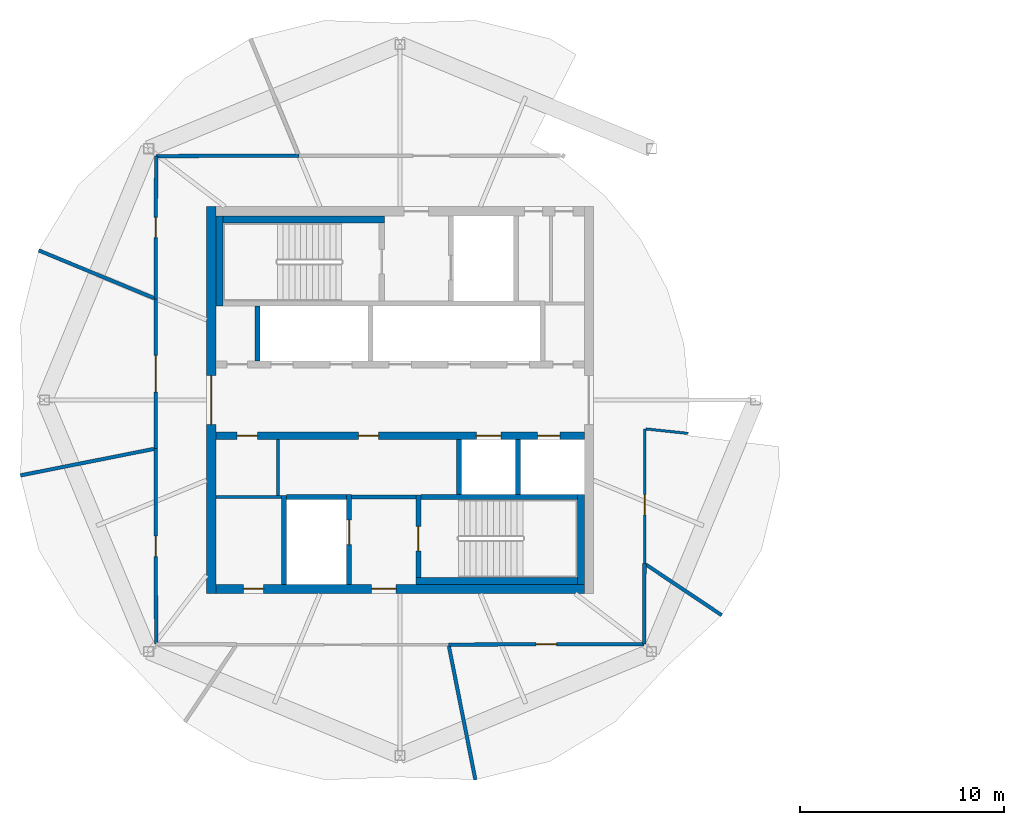
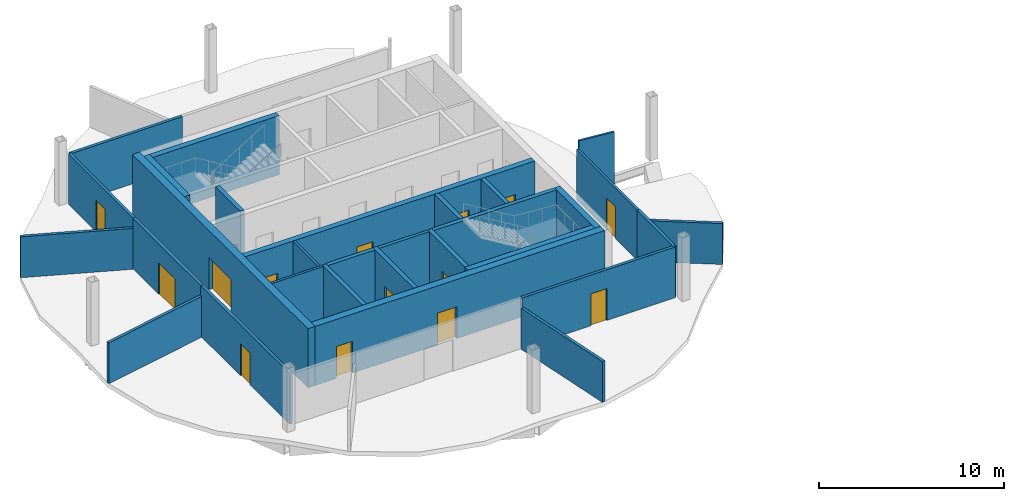
# One storey, part 5 of 11: 30 walls, 14 doors, 14 openings.
"""IFC4 building model written with IfcOpenShell, lengths in metres."""

from ifc_helpers import new_model, si_unit, direction, frame, frame_2d, origin, place, context, subcontext, project, spatial, rectangle, extrude, material, layer, layer_set, type_object, element, fill, save


model = new_model("IFC4")

# Units and contexts
model_context = context("Model", 3, precision=1e-05, world=origin(), true_north=direction((0.0, 1.0)))
body_context = subcontext(model_context, "Body", "Model", "MODEL_VIEW")
ifc_project = project(units=[si_unit("LENGTHUNIT", "METRE"), si_unit("AREAUNIT", "SQUARE_METRE"), si_unit("VOLUMEUNIT", "CUBIC_METRE"), si_unit("PLANEANGLEUNIT", "RADIAN"), si_unit("MASSUNIT", "GRAM", prefix="KILO")], contexts=[model_context])

# Site, building, storey
site_placement = place(None, origin())
site = spatial("IfcSite", under=ifc_project, at=site_placement, CompositionType="ELEMENT")
building_placement = place(site_placement, origin())
building = spatial("IfcBuilding", under=site, at=building_placement, Name="Ogive Gate Towers", CompositionType="ELEMENT")
storey_placement = place(building_placement, frame((0.0, 0.0, 281.39990234375)))
storey = spatial("IfcBuildingStorey", under=building, at=storey_placement, Name="L66", CompositionType="ELEMENT", Elevation=281.39990234375)

# Walls
ifc_material_1 = material(Name="Gypsum board acoustic partition")
ifc_layer_1 = layer(ifc_material_1, 0.175048828125)
ifc_layer_set_1 = layer_set([ifc_layer_1], Name="Acoustic partition 175")
wall_type_1 = type_object("IfcWallType", Name="Acoustic partition 175", PredefinedType="PARTITIONING", material=ifc_layer_set_1)
wall_1_placement = place(storey_placement, frame((-53.747802734375, 7.351318359375, 0.0), z_axis=(0.0, 0.0, 1.0), x_axis=(0.923879494329, -0.382683524544, 0.0)))
element("IfcWall", 1, at=wall_1_placement, inside=storey, type_object=wall_type_1, Name="Partition T1-L66-003", PredefinedType="PARTITIONING", context=body_context, shape_type="SweptSolid", body=[
    extrude(rectangle(XDim=6.131591796875, YDim=0.175048828125, at=frame_2d((3.06591796875, 0.0))), origin(), (0.0, 0.0, 1.0), 2.7001953125),
])
for number, where, z_axis, x_axis, name in (
    (2, (-54.64599609375, -3.69921875, 0.0), (0.0, 0.0, 1.0), (0.980887249702, 0.19457698572, 0.0), "Partition T1-L66-004"),
    (3, (-32.30078125, -18.64599609375, 0.0), (0.0, 0.0, 1.0), (-0.19457698572, 0.980887249702, 0.0), "Partition T1-L66-006"),
):
    element("IfcWall", number, at=place(storey_placement, frame(where, z_axis=z_axis, x_axis=x_axis)), inside=storey, type_object=wall_type_1, Name=name, PredefinedType="PARTITIONING", context=body_context, shape_type="SweptSolid", body=[
        extrude(rectangle(XDim=6.681396484375, YDim=0.175048828125, at=frame_2d((3.3408203125, 0.0))), origin(), (0.0, 0.0, 1.0), 2.7001953125),
    ])
wall_2_placement = place(storey_placement, frame((-20.199462890625, -10.56884765625, 0.0), z_axis=(0.0, 0.0, 1.0), x_axis=(-0.831202788563, 0.555969355527, 0.0)))
element("IfcWall", 4, at=wall_2_placement, inside=storey, type_object=wall_type_1, Name="Partition T1-L66-007", PredefinedType="PARTITIONING", context=body_context, shape_type="SweptSolid", body=[
    extrude(rectangle(XDim=4.481201171875, YDim=0.175048828125, at=frame_2d((2.24072265625, 0.0))), origin(), (0.0, 0.0, 1.0), 2.7001953125),
])

# Wall, opening, door
wall_3_placement = place(storey_placement, frame((-24.02001953125, -11.97998046875, 0.0), z_axis=(0.0, 0.0, 1.0), x_axis=(-0.999996156312, -0.002772609087, 0.0)))
wall_3 = element("IfcWall", 5, at=wall_3_placement, inside=storey, type_object=wall_type_1, Name="Partition T1-L66-010", PredefinedType="PARTITIONING", context=body_context, shape_type="SweptSolid", body=[
    extrude(rectangle(XDim=9.597900390625, YDim=0.175048828125, at=frame_2d((4.798828125, 0.0))), origin(), (0.0, 0.0, 1.0), 3.35009765625),
])
opening_1_placement = place(wall_3_placement, frame((4.299072265625, 0.0, 0.0)))
opening_1 = element("IfcOpeningElement", 6, at=opening_1_placement, cuts=wall_3, Name="Opening T1-L66-D02", PredefinedType="OPENING", context=body_context, shape_type="SweptSolid", body=[
    extrude(rectangle(XDim=1.0, YDim=2.10009765625, at=frame_2d((0.5, 1.050048828125))), frame((0.0, 0.09765625, 0.0), z_axis=(0.0, -1.0, 0.0), x_axis=(1.0, 0.0, 0.0)), (0.0, 0.0, 1.0), 0.195068359375),
])
ifc_material_2 = material(Name="Timber door", Category="wood")
door_type_1 = type_object("IfcDoorType", Name="Door 1000", OperationType="NOTDEFINED", PredefinedType="DOOR", material=ifc_material_2)
door_1_placement = place(opening_1_placement, origin())
door_1 = element("IfcDoor", 7, at=door_1_placement, inside=storey, type_object=door_type_1, Name="Door T1-L66-D02", OperationType="SINGLE_SWING_RIGHT", OverallHeight=2.10009765625, OverallWidth=1.0, PredefinedType="DOOR", context=body_context, shape_type="SweptSolid", body=[
    extrude(rectangle(XDim=1.0, YDim=2.10009765625, at=frame_2d((0.5, 1.050048828125))), frame((0.0, 0.02490234375, 0.0), z_axis=(0.0, -1.0, 0.0), x_axis=(1.0, 0.0, 0.0)), (0.0, 0.0, 1.0), 0.050048828125),
])
fill(opening_1, door_1)

# Wall
wall_4_placement = place(storey_placement, frame((-23.9970703125, -8.02880859375, 0.0), z_axis=(0.0, 0.0, 1.0), x_axis=(-0.005808107667, -0.9999831328, 0.0)))
element("IfcWall", 8, at=wall_4_placement, inside=storey, type_object=wall_type_1, Name="Partition T1-L66-011", PredefinedType="PARTITIONING", context=body_context, shape_type="SweptSolid", body=[
    extrude(rectangle(XDim=3.951171875, YDim=0.175048828125, at=frame_2d((1.9755859375, 0.0))), origin(), (0.0, 0.0, 1.0), 3.35009765625),
])

# Wall, opening, door
wall_5_placement = place(storey_placement, frame((-47.97998046875, -11.97998046875, 0.0), z_axis=(0.0, 0.0, 1.0), x_axis=(-0.002772609087, 0.999996156312, 0.0)))
wall_5 = element("IfcWall", 9, at=wall_5_placement, inside=storey, type_object=wall_type_1, Name="Partition T1-L66-013", PredefinedType="PARTITIONING", context=body_context, shape_type="SweptSolid", body=[
    extrude(rectangle(XDim=9.597900390625, YDim=0.175048828125, at=frame_2d((4.798828125, 0.0))), origin(), (0.0, 0.0, 1.0), 3.35009765625),
])
opening_2_placement = place(wall_5_placement, frame((4.299072265625, 0.0, 0.0)))
opening_2 = element("IfcOpeningElement", 10, at=opening_2_placement, cuts=wall_5, Name="Opening T1-L66-D04", PredefinedType="OPENING", context=body_context, shape_type="SweptSolid", body=[
    extrude(rectangle(XDim=1.0, YDim=2.10009765625, at=frame_2d((0.5, 1.050048828125))), frame((0.0, 0.09765625, 0.0), z_axis=(0.0, -1.0, 0.0), x_axis=(1.0, 0.0, 0.0)), (0.0, 0.0, 1.0), 0.195068359375),
])
door_2_placement = place(opening_2_placement, origin())
door_2 = element("IfcDoor", 11, at=door_2_placement, inside=storey, type_object=door_type_1, Name="Door T1-L66-D04", OperationType="SINGLE_SWING_LEFT", OverallHeight=2.10009765625, OverallWidth=1.0, PredefinedType="DOOR", context=body_context, shape_type="SweptSolid", body=[
    extrude(rectangle(XDim=1.0, YDim=2.10009765625, at=frame_2d((0.5, 1.050048828125))), frame((0.0, 0.02490234375, 0.0), z_axis=(0.0, -1.0, 0.0), x_axis=(1.0, 0.0, 0.0)), (0.0, 0.0, 1.0), 0.050048828125),
])
fill(opening_2, door_2)

wall_6_placement = place(storey_placement, frame((-48.006591796875, -2.382080078125, 0.0), z_axis=(0.0, 0.0, 1.0), x_axis=(0.000597609455, 0.999999821431, 0.0)))
wall_6 = element("IfcWall", 12, at=wall_6_placement, inside=storey, type_object=wall_type_1, Name="Partition T1-L66-015", PredefinedType="PARTITIONING", context=body_context, shape_type="SweptSolid", body=[
    extrude(rectangle(XDim=7.353515625, YDim=0.175048828125, at=frame_2d((3.6767578125, 0.0))), origin(), (0.0, 0.0, 1.0), 3.35009765625),
])
opening_3_placement = place(wall_6_placement, frame((2.777099609375, 0.0, 0.0)))
opening_3 = element("IfcOpeningElement", 13, at=opening_3_placement, cuts=wall_6, Name="Opening T1-L66-D05", PredefinedType="OPENING", context=body_context, shape_type="SweptSolid", body=[
    extrude(rectangle(XDim=1.800048828125, YDim=2.10009765625, at=frame_2d((0.89990234375, 1.050048828125))), frame((0.0, 0.09765625, 0.0), z_axis=(0.0, -1.0, 0.0), x_axis=(1.0, 0.0, 0.0)), (0.0, 0.0, 1.0), 0.195068359375),
])
door_type_2 = type_object("IfcDoorType", Name="Door pair 1800", OperationType="NOTDEFINED", PredefinedType="DOOR", material=ifc_material_2)
door_3_placement = place(opening_3_placement, origin())
door_3 = element("IfcDoor", 14, at=door_3_placement, inside=storey, type_object=door_type_2, Name="Door T1-L66-D05", OperationType="DOUBLE_DOOR_DOUBLE_SWING", OverallHeight=2.10009765625, OverallWidth=1.800048828125, PredefinedType="DOOR", context=body_context, shape_type="SweptSolid", body=[
    extrude(rectangle(XDim=1.800048828125, YDim=2.10009765625, at=frame_2d((0.89990234375, 1.050048828125))), frame((0.0, 0.02490234375, 0.0), z_axis=(0.0, -1.0, 0.0), x_axis=(1.0, 0.0, 0.0)), (0.0, 0.0, 1.0), 0.050048828125),
])
fill(opening_3, door_3)

wall_7_placement = place(storey_placement, frame((-48.002197265625, 4.971435546875, 0.0), z_axis=(0.0, 0.0, 1.0), x_axis=(0.00316994262, 0.999994975719, 0.0)))
wall_7 = element("IfcWall", 15, at=wall_7_placement, inside=storey, type_object=wall_type_1, Name="Partition T1-L66-016", PredefinedType="PARTITIONING", context=body_context, shape_type="SweptSolid", body=[
    extrude(rectangle(XDim=7.008544921875, YDim=0.175048828125, at=frame_2d((3.50439453125, 0.0))), origin(), (0.0, 0.0, 1.0), 3.35009765625),
])
opening_4_placement = place(wall_7_placement, frame((3.00390625, 0.0, 0.0)))
opening_4 = element("IfcOpeningElement", 16, at=opening_4_placement, cuts=wall_7, Name="Opening T1-L66-D06", PredefinedType="OPENING", context=body_context, shape_type="SweptSolid", body=[
    extrude(rectangle(XDim=1.0, YDim=2.10009765625, at=frame_2d((0.5, 1.050048828125))), frame((0.0, 0.09765625, 0.0), z_axis=(0.0, -1.0, 0.0), x_axis=(1.0, 0.0, 0.0)), (0.0, 0.0, 1.0), 0.195068359375),
])
door_4_placement = place(opening_4_placement, origin())
door_4 = element("IfcDoor", 17, at=door_4_placement, inside=storey, type_object=door_type_1, Name="Door T1-L66-D06", OperationType="SINGLE_SWING_RIGHT", OverallHeight=2.10009765625, OverallWidth=1.0, PredefinedType="DOOR", context=body_context, shape_type="SweptSolid", body=[
    extrude(rectangle(XDim=1.0, YDim=2.10009765625, at=frame_2d((0.5, 1.050048828125))), frame((0.0, 0.02490234375, 0.0), z_axis=(0.0, -1.0, 0.0), x_axis=(1.0, 0.0, 0.0)), (0.0, 0.0, 1.0), 0.050048828125),
])
fill(opening_4, door_4)

# Walls
wall_8_placement = place(storey_placement, frame((-47.97998046875, 11.97998046875, 0.0), z_axis=(0.0, 0.0, 1.0), x_axis=(0.999994975719, 0.00316994262, 0.0)))
element("IfcWall", 18, at=wall_8_placement, inside=storey, type_object=wall_type_1, Name="Partition T1-L66-017", PredefinedType="PARTITIONING", context=body_context, shape_type="SweptSolid", body=[
    extrude(rectangle(XDim=7.008544921875, YDim=0.175048828125, at=frame_2d((3.50439453125, 0.0))), origin(), (0.0, 0.0, 1.0), 3.35009765625),
])
ifc_material_3 = material(Name="Masonry blockwork", Category="masonry")
ifc_layer_2 = layer(ifc_material_3, 0.199951171875)
ifc_layer_set_2 = layer_set([ifc_layer_2], Name="Blockwork wall 200 mm")
wall_type_2 = type_object("IfcWallType", Name="Blockwork wall 200 mm", PredefinedType="PARTITIONING", material=ifc_layer_set_2)
wall_9_placement = place(storey_placement, frame((-38.375, -4.75, 0.0), z_axis=(0.0, 0.0, 1.0), x_axis=(1.0, 0.0, 0.0)))
element("IfcWall", 19, at=wall_9_placement, inside=storey, type_object=wall_type_2, Name="T1 L66 Blockwork wall 200 mm", PredefinedType="PARTITIONING", context=body_context, shape_type="SweptSolid", body=[
    extrude(rectangle(XDim=3.14990234375, YDim=0.199951171875, at=frame_2d((1.574951171875, 0.0))), origin(), (0.0, 0.0, 1.0), 3.900146484375),
])

# Wall, openings, doors
ifc_material_4 = material(Name="Concrete C60/75", Category="concrete")
ifc_layer_3 = layer(ifc_material_4, 0.449951171875)
ifc_layer_set_3 = layer_set([ifc_layer_3], Name="Core wall 450 mm")
wall_type_3 = type_object("IfcWallType", Name="Core wall 450 mm", PredefinedType="SHEAR", material=ifc_layer_set_3)
wall_10_placement = place(storey_placement, frame((-45.050048828125, -9.27490234375, 0.0), z_axis=(0.0, 0.0, 1.0), x_axis=(1.0, 0.0, 0.0)))
wall_10 = element("IfcWall", 20, at=wall_10_placement, inside=storey, type_object=wall_type_3, Name="T1 L66 Core wall 450 mm", PredefinedType="SHEAR", context=body_context, shape_type="SweptSolid", body=[
    extrude(rectangle(XDim=18.10009765625, YDim=0.449951171875, at=frame_2d((9.050048828125, 0.0))), origin(), (0.0, 0.0, 1.0), 3.900146484375),
])
opening_5_placement = place(wall_10_placement, frame((7.64990234375, 0.0, 0.0)))
opening_5 = element("IfcOpeningElement", 21, at=opening_5_placement, cuts=wall_10, Name="Opening KD-T1-L66-19", PredefinedType="OPENING", context=body_context, shape_type="SweptSolid", body=[
    extrude(rectangle(XDim=1.199951171875, YDim=2.10009765625, at=frame_2d((0.60009765625, 1.050048828125))), frame((0.0, 0.23486328125, 0.0), z_axis=(0.0, -1.0, 0.0), x_axis=(1.0, 0.0, 0.0)), (0.0, 0.0, 1.0), 0.469970703125),
])
opening_6_placement = place(wall_10_placement, frame((1.35009765625, 0.0, 0.0)))
opening_6 = element("IfcOpeningElement", 22, at=opening_6_placement, cuts=wall_10, Name="Opening KD-T1-L66-22", PredefinedType="OPENING", context=body_context, shape_type="SweptSolid", body=[
    extrude(rectangle(XDim=1.0, YDim=2.10009765625, at=frame_2d((0.5, 1.050048828125))), frame((0.0, 0.23486328125, 0.0), z_axis=(0.0, -1.0, 0.0), x_axis=(1.0, 0.0, 0.0)), (0.0, 0.0, 1.0), 0.469970703125),
])
door_type_3 = type_object("IfcDoorType", Name="Accessible WC door 1000 x 2100", OperationType="NOTDEFINED", PredefinedType="DOOR", material=ifc_material_2)
door_5_placement = place(opening_6_placement, origin())
door_5 = element("IfcDoor", 23, at=door_5_placement, inside=storey, type_object=door_type_3, Name="T1 L66 Core door", OperationType="SINGLE_SWING_LEFT", OverallHeight=2.10009765625, OverallWidth=1.0, PredefinedType="DOOR", context=body_context, shape_type="SweptSolid", body=[
    extrude(rectangle(XDim=1.0, YDim=2.10009765625, at=frame_2d((0.5, 1.050048828125))), frame((0.0, 0.02490234375, 0.0), z_axis=(0.0, -1.0, 0.0), x_axis=(1.0, 0.0, 0.0)), (0.0, 0.0, 1.0), 0.050048828125),
])
fill(opening_6, door_5)
ifc_material_5 = material(Name="Steel fire door", Category="steel")
door_type_4 = type_object("IfcDoorType", Name="Core door FD60S 1200 x 2100", OperationType="NOTDEFINED", PredefinedType="DOOR", material=ifc_material_5)
door_6_placement = place(opening_5_placement, origin())
door_6 = element("IfcDoor", 24, at=door_6_placement, inside=storey, type_object=door_type_4, Name="T1 L66 Fire-fighting lobby door", OperationType="SINGLE_SWING_RIGHT", OverallHeight=2.10009765625, OverallWidth=1.199951171875, PredefinedType="DOOR", context=body_context, shape_type="SweptSolid", body=[
    extrude(rectangle(XDim=1.199951171875, YDim=2.10009765625, at=frame_2d((0.60009765625, 1.050048828125))), frame((0.0, 0.02490234375, 0.0), z_axis=(0.0, -1.0, 0.0), x_axis=(1.0, 0.0, 0.0)), (0.0, 0.0, 1.0), 0.050048828125),
])
fill(opening_5, door_6)

# Wall, opening, door
wall_11_placement = place(storey_placement, frame((-45.27490234375, -9.5, 0.0), z_axis=(0.0, 0.0, 1.0), x_axis=(0.0, 1.0, 0.0)))
wall_11 = element("IfcWall", 25, at=wall_11_placement, inside=storey, type_object=wall_type_3, Name="T1 L66 Core wall 450 mm", PredefinedType="SHEAR", context=body_context, shape_type="SweptSolid", body=[
    extrude(rectangle(XDim=19.0, YDim=0.449951171875, at=frame_2d((9.5, 0.0))), origin(), (0.0, 0.0, 1.0), 3.900146484375),
])
opening_7_placement = place(wall_11_placement, frame((8.300048828125, 0.0, 0.0)))
opening_7 = element("IfcOpeningElement", 26, at=opening_7_placement, cuts=wall_11, Name="Opening KD-T1-L66-01", PredefinedType="OPENING", context=body_context, shape_type="SweptSolid", body=[
    extrude(rectangle(XDim=2.39990234375, YDim=2.10009765625, at=frame_2d((1.199951171875, 1.050048828125))), frame((0.0, 0.23486328125, 0.0), z_axis=(0.0, -1.0, 0.0), x_axis=(1.0, 0.0, 0.0)), (0.0, 0.0, 1.0), 0.469970703125),
])
door_type_5 = type_object("IfcDoorType", Name="Core double door FD60S 2400 x 2100", OperationType="DOUBLE_DOOR_SINGLE_SWING", PredefinedType="DOOR", material=ifc_material_5)
door_7_placement = place(opening_7_placement, origin())
door_7 = element("IfcDoor", 27, at=door_7_placement, inside=storey, type_object=door_type_5, Name="T1 L66 Core door double", OperationType="DOUBLE_DOOR_SINGLE_SWING", OverallHeight=2.10009765625, OverallWidth=2.39990234375, PredefinedType="DOOR", context=body_context, shape_type="SweptSolid", body=[
    extrude(rectangle(XDim=2.39990234375, YDim=2.10009765625, at=frame_2d((1.199951171875, 1.050048828125))), frame((0.0, 0.02490234375, 0.0), z_axis=(0.0, -1.0, 0.0), x_axis=(1.0, 0.0, 0.0)), (0.0, 0.0, 1.0), 0.050048828125),
])
fill(opening_7, door_7)

# Wall
ifc_material_6 = material(Name="Gypsum board partition")
ifc_layer_4 = layer(ifc_material_6, 0.125)
ifc_layer_set_4 = layer_set([ifc_layer_4], Name="Partition 125")
wall_type_4 = type_object("IfcWallType", Name="Partition 125", PredefinedType="PARTITIONING", material=ifc_layer_set_4)
wall_12_placement = place(storey_placement, frame((-21.8505859375, -1.63671875, 0.0), z_axis=(0.0, 0.0, 1.0), x_axis=(-0.994472011286, 0.105001994121, 0.0)))
element("IfcWall", 28, at=wall_12_placement, inside=storey, type_object=wall_type_4, Name="Partition T1-L66-008", PredefinedType="PARTITIONING", context=body_context, shape_type="SweptSolid", body=[
    extrude(rectangle(XDim=2.083251953125, YDim=0.125, at=frame_2d((1.04150390625, 0.0))), origin(), (0.0, 0.0, 1.0), 3.900146484375),
])

# Wall, opening, door
wall_13_placement = place(storey_placement, frame((-23.984375, -1.41064453125, 0.0), z_axis=(0.0, 0.0, 1.0), x_axis=(-0.001918249385, -0.999998160158, 0.0)))
wall_13 = element("IfcWall", 29, at=wall_13_placement, inside=storey, type_object=wall_type_4, Name="Partition T1-L66-009", PredefinedType="PARTITIONING", context=body_context, shape_type="SweptSolid", body=[
    extrude(rectangle(XDim=6.6181640625, YDim=0.125, at=frame_2d((3.30908203125, 0.0))), origin(), (0.0, 0.0, 1.0), 3.35009765625),
])
opening_8_placement = place(wall_13_placement, frame((3.22802734375, 0.0, 0.0)))
opening_8 = element("IfcOpeningElement", 30, at=opening_8_placement, cuts=wall_13, Name="Opening T1-L66-D01", PredefinedType="OPENING", context=body_context, shape_type="SweptSolid", body=[
    extrude(rectangle(XDim=1.0, YDim=2.10009765625, at=frame_2d((0.5, 1.050048828125))), frame((0.0, 0.072509765625, 0.0), z_axis=(0.0, -1.0, 0.0), x_axis=(1.0, 0.0, 0.0)), (0.0, 0.0, 1.0), 0.14501953125),
])
door_8_placement = place(opening_8_placement, origin())
door_8 = element("IfcDoor", 31, at=door_8_placement, inside=storey, type_object=door_type_1, Name="Door T1-L66-D01", OperationType="SINGLE_SWING_RIGHT", OverallHeight=2.10009765625, OverallWidth=1.0, PredefinedType="DOOR", context=body_context, shape_type="SweptSolid", body=[
    extrude(rectangle(XDim=1.0, YDim=2.10009765625, at=frame_2d((0.5, 1.050048828125))), frame((0.0, 0.02490234375, 0.0), z_axis=(0.0, -1.0, 0.0), x_axis=(1.0, 0.0, 0.0)), (0.0, 0.0, 1.0), 0.050048828125),
])
fill(opening_8, door_8)

# Walls
ifc_layer_5 = layer(ifc_material_6, 0.14990234375)
ifc_layer_set_5 = layer_set([ifc_layer_5], Name="Room partition 150 mm")
wall_type_5 = type_object("IfcWallType", Name="Room partition 150 mm", PredefinedType="PARTITIONING", material=ifc_layer_set_5)
wall_14_placement = place(storey_placement, frame((-45.050048828125, -4.75, 0.0), z_axis=(0.0, 0.0, 1.0), x_axis=(1.0, 0.0, 0.0)))
element("IfcWall", 32, at=wall_14_placement, inside=storey, type_object=wall_type_5, Name="T1 L66 Room partition 150 mm", PredefinedType="PARTITIONING", context=body_context, shape_type="SweptSolid", body=[
    extrude(rectangle(XDim=3.22509765625, YDim=0.14990234375, at=frame_2d((1.612548828125, 0.0))), origin(), (0.0, 0.0, 1.0), 3.900146484375),
])
wall_15_placement = place(storey_placement, frame((-42.0, -4.675048828125, 0.0), z_axis=(0.0, 0.0, 1.0), x_axis=(0.0, 1.0, 0.0)))
element("IfcWall", 33, at=wall_15_placement, inside=storey, type_object=wall_type_5, Name="T1 L66 Room partition 150 mm", PredefinedType="PARTITIONING", context=body_context, shape_type="SweptSolid", body=[
    extrude(rectangle(XDim=2.75, YDim=0.14990234375, at=frame_2d((1.375, 0.0))), origin(), (0.0, 0.0, 1.0), 3.900146484375),
])
ifc_layer_6 = layer(ifc_material_4, 0.25)
ifc_layer_set_6 = layer_set([ifc_layer_6], Name="Shaft wall 250 mm")
wall_type_6 = type_object("IfcWallType", Name="Shaft wall 250 mm", PredefinedType="SHEAR", material=ifc_layer_set_6)
wall_16_placement = place(storey_placement, frame((-41.574951171875, -4.75, 0.0), z_axis=(0.0, 0.0, 1.0), x_axis=(1.0, 0.0, 0.0)))
element("IfcWall", 34, at=wall_16_placement, inside=storey, type_object=wall_type_6, Name="T1 L66 Shaft wall 250 mm", PredefinedType="SHEAR", context=body_context, shape_type="SweptSolid", body=[
    extrude(rectangle(XDim=2.949951171875, YDim=0.25, at=frame_2d((1.47509765625, 0.0))), origin(), (0.0, 0.0, 1.0), 3.900146484375),
])
wall_17_placement = place(storey_placement, frame((-34.97509765625, -4.75, 0.0), z_axis=(0.0, 0.0, 1.0), x_axis=(1.0, 0.0, 0.0)))
element("IfcWall", 35, at=wall_17_placement, inside=storey, type_object=wall_type_6, Name="T1 L66 Shaft wall 250 mm", PredefinedType="SHEAR", context=body_context, shape_type="SweptSolid", body=[
    extrude(rectangle(XDim=7.675048828125, YDim=0.25, at=frame_2d((3.83740234375, 0.0))), origin(), (0.0, 0.0, 1.0), 3.900146484375),
])
wall_18_placement = place(storey_placement, frame((-43.0, 1.925048828125, 0.0), z_axis=(0.0, 0.0, 1.0), x_axis=(0.0, 1.0, 0.0)))
element("IfcWall", 36, at=wall_18_placement, inside=storey, type_object=wall_type_6, Name="T1 L66 Shaft wall 250 mm", PredefinedType="SHEAR", context=body_context, shape_type="SweptSolid", body=[
    extrude(rectangle(XDim=2.699951171875, YDim=0.25, at=frame_2d((1.35009765625, 0.0))), origin(), (0.0, 0.0, 1.0), 3.900146484375),
])
wall_19_placement = place(storey_placement, frame((-41.699951171875, -9.050048828125, 0.0), z_axis=(0.0, 0.0, 1.0), x_axis=(0.0, 1.0, 0.0)))
element("IfcWall", 37, at=wall_19_placement, inside=storey, type_object=wall_type_6, Name="T1 L66 Shaft wall 250 mm", PredefinedType="SHEAR", context=body_context, shape_type="SweptSolid", body=[
    extrude(rectangle(XDim=4.375, YDim=0.25, at=frame_2d((2.1875, 0.0))), origin(), (0.0, 0.0, 1.0), 3.900146484375),
])

# Wall, opening, door
wall_20_placement = place(storey_placement, frame((-38.5, -9.050048828125, 0.0), z_axis=(0.0, 0.0, 1.0), x_axis=(0.0, 1.0, 0.0)))
wall_20 = element("IfcWall", 38, at=wall_20_placement, inside=storey, type_object=wall_type_6, Name="T1 L66 Shaft wall 250 mm", PredefinedType="SHEAR", context=body_context, shape_type="SweptSolid", body=[
    extrude(rectangle(XDim=4.425048828125, YDim=0.25, at=frame_2d((2.21240234375, 0.0))), origin(), (0.0, 0.0, 1.0), 3.900146484375),
])
opening_9_placement = place(wall_20_placement, frame((1.949951171875, 0.0, 0.0)))
opening_9 = element("IfcOpeningElement", 39, at=opening_9_placement, cuts=wall_20, Name="Opening LD-T1-L66-13", PredefinedType="OPENING", context=body_context, shape_type="SweptSolid", body=[
    extrude(rectangle(XDim=1.199951171875, YDim=2.10009765625, at=frame_2d((0.60009765625, 1.050048828125))), frame((0.0, 0.135009765625, 0.0), z_axis=(0.0, -1.0, 0.0), x_axis=(1.0, 0.0, 0.0)), (0.0, 0.0, 1.0), 0.27001953125),
])
ifc_material_7 = material(Name="Stainless steel landing door", Category="steel")
door_type_6 = type_object("IfcDoorType", Name="Landing door 1200 x 2100", OperationType="SLIDING_TO_LEFT", PredefinedType="DOOR", material=ifc_material_7)
door_9_placement = place(opening_9_placement, origin())
door_9 = element("IfcDoor", 40, at=door_9_placement, inside=storey, type_object=door_type_6, Name="T1 L66 Lift landing door FF2", OperationType="SLIDING_TO_LEFT", OverallHeight=2.10009765625, OverallWidth=1.199951171875, PredefinedType="DOOR", context=body_context, shape_type="SweptSolid", body=[
    extrude(rectangle(XDim=1.199951171875, YDim=2.10009765625, at=frame_2d((0.60009765625, 1.050048828125))), frame((0.0, 0.02490234375, 0.0), z_axis=(0.0, -1.0, 0.0), x_axis=(1.0, 0.0, 0.0)), (0.0, 0.0, 1.0), 0.050048828125),
])
fill(opening_9, door_9)

wall_21_placement = place(storey_placement, frame((-35.10009765625, -8.699951171875, 0.0), z_axis=(0.0, 0.0, 1.0), x_axis=(0.0, 1.0, 0.0)))
wall_21 = element("IfcWall", 41, at=wall_21_placement, inside=storey, type_object=wall_type_6, Name="T1 L66 Shaft wall 250 mm", PredefinedType="SHEAR", context=body_context, shape_type="SweptSolid", body=[
    extrude(rectangle(XDim=4.050048828125, YDim=0.25, at=frame_2d((2.02490234375, 0.0))), origin(), (0.0, 0.0, 1.0), 3.900146484375),
])
opening_10_placement = place(wall_21_placement, frame((1.300048828125, 0.0, 0.0)))
opening_10 = element("IfcOpeningElement", 42, at=opening_10_placement, cuts=wall_21, Name="Opening KD-T1-L66-17", PredefinedType="OPENING", context=body_context, shape_type="SweptSolid", body=[
    extrude(rectangle(XDim=1.199951171875, YDim=2.10009765625, at=frame_2d((0.60009765625, 1.050048828125))), frame((0.0, 0.135009765625, 0.0), z_axis=(0.0, -1.0, 0.0), x_axis=(1.0, 0.0, 0.0)), (0.0, 0.0, 1.0), 0.27001953125),
])
door_10_placement = place(opening_10_placement, origin())
door_10 = element("IfcDoor", 43, at=door_10_placement, inside=storey, type_object=door_type_4, Name="T1 L66 Stair door", OperationType="SINGLE_SWING_RIGHT", OverallHeight=2.10009765625, OverallWidth=1.199951171875, PredefinedType="DOOR", context=body_context, shape_type="SweptSolid", body=[
    extrude(rectangle(XDim=1.199951171875, YDim=2.10009765625, at=frame_2d((0.60009765625, 1.050048828125))), frame((0.0, 0.02490234375, 0.0), z_axis=(0.0, -1.0, 0.0), x_axis=(1.0, 0.0, 0.0)), (0.0, 0.0, 1.0), 0.050048828125),
])
fill(opening_10, door_10)

# Walls
for number, where, z_axis, x_axis, name in (
    (44, (-33.10009765625, -4.625, 0.0), (0.0, 0.0, 1.0), (0.0, 1.0, 0.0), "T1 L66 Shaft wall 250 mm"),
    (45, (-30.199951171875, -4.625, 0.0), (0.0, 0.0, 1.0), (0.0, 1.0, 0.0), "T1 L66 Shaft wall 250 mm"),
):
    element("IfcWall", number, at=place(storey_placement, frame(where, z_axis=z_axis, x_axis=x_axis)), inside=storey, type_object=wall_type_6, Name=name, PredefinedType="SHEAR", context=body_context, shape_type="SweptSolid", body=[
        extrude(rectangle(XDim=2.699951171875, YDim=0.25, at=frame_2d((1.35009765625, 0.0))), origin(), (0.0, 0.0, 1.0), 3.900146484375),
    ])

# Wall, openings, doors
ifc_layer_7 = layer(ifc_material_4, 0.35009765625)
ifc_layer_set_7 = layer_set([ifc_layer_7], Name="Spine wall 350 mm")
wall_type_7 = type_object("IfcWallType", Name="Spine wall 350 mm", PredefinedType="SHEAR", material=ifc_layer_set_7)
wall_22_placement = place(storey_placement, frame((-45.050048828125, -1.75, 0.0), z_axis=(0.0, 0.0, 1.0), x_axis=(1.0, 0.0, 0.0)))
wall_22 = element("IfcWall", 46, at=wall_22_placement, inside=storey, type_object=wall_type_7, Name="T1 L66 Spine wall 350 mm", PredefinedType="SHEAR", context=body_context, shape_type="SweptSolid", body=[
    extrude(rectangle(XDim=18.10009765625, YDim=0.35009765625, at=frame_2d((9.050048828125, 0.0))), origin(), (0.0, 0.0, 1.0), 3.900146484375),
])
opening_11_placement = place(wall_22_placement, frame((12.800048828125, 0.0, 0.0)))
opening_11 = element("IfcOpeningElement", 47, at=opening_11_placement, cuts=wall_22, Name="Opening LD-T1-L66-10", PredefinedType="OPENING", context=body_context, shape_type="SweptSolid", body=[
    extrude(rectangle(XDim=1.199951171875, YDim=2.10009765625, at=frame_2d((0.60009765625, 1.050048828125))), frame((0.0, 0.18505859375, 0.0), z_axis=(0.0, -1.0, 0.0), x_axis=(1.0, 0.0, 0.0)), (0.0, 0.0, 1.0), 0.3701171875),
])
opening_12_placement = place(wall_22_placement, frame((15.800048828125, 0.0, 0.0)))
opening_12 = element("IfcOpeningElement", 48, at=opening_12_placement, cuts=wall_22, Name="Opening LD-T1-L66-11", PredefinedType="OPENING", context=body_context, shape_type="SweptSolid", body=[
    extrude(rectangle(XDim=1.10009765625, YDim=2.10009765625, at=frame_2d((0.550048828125, 1.050048828125))), frame((0.0, 0.18505859375, 0.0), z_axis=(0.0, -1.0, 0.0), x_axis=(1.0, 0.0, 0.0)), (0.0, 0.0, 1.0), 0.3701171875),
])
opening_13_placement = place(wall_22_placement, frame((1.050048828125, 0.0, 0.0)))
opening_13 = element("IfcOpeningElement", 49, at=opening_13_placement, cuts=wall_22, Name="Opening KD-T1-L66-14", PredefinedType="OPENING", context=body_context, shape_type="SweptSolid", body=[
    extrude(rectangle(XDim=1.0, YDim=2.10009765625, at=frame_2d((0.5, 1.050048828125))), frame((0.0, 0.18505859375, 0.0), z_axis=(0.0, -1.0, 0.0), x_axis=(1.0, 0.0, 0.0)), (0.0, 0.0, 1.0), 0.3701171875),
])
opening_14_placement = place(wall_22_placement, frame((7.0, 0.0, 0.0)))
opening_14 = element("IfcOpeningElement", 50, at=opening_14_placement, cuts=wall_22, Name="Opening KD-T1-L66-15", PredefinedType="OPENING", context=body_context, shape_type="SweptSolid", body=[
    extrude(rectangle(XDim=1.0, YDim=2.10009765625, at=frame_2d((0.5, 1.050048828125))), frame((0.0, 0.18505859375, 0.0), z_axis=(0.0, -1.0, 0.0), x_axis=(1.0, 0.0, 0.0)), (0.0, 0.0, 1.0), 0.3701171875),
])
door_type_7 = type_object("IfcDoorType", Name="Core door FD60S 1000 x 2100", OperationType="NOTDEFINED", PredefinedType="DOOR", material=ifc_material_5)
door_11_placement = place(opening_13_placement, origin())
door_11 = element("IfcDoor", 51, at=door_11_placement, inside=storey, type_object=door_type_7, Name="T1 L66 Core door", OperationType="SINGLE_SWING_LEFT", OverallHeight=2.10009765625, OverallWidth=1.0, PredefinedType="DOOR", context=body_context, shape_type="SweptSolid", body=[
    extrude(rectangle(XDim=1.0, YDim=2.10009765625, at=frame_2d((0.5, 1.050048828125))), frame((0.0, 0.02490234375, 0.0), z_axis=(0.0, -1.0, 0.0), x_axis=(1.0, 0.0, 0.0)), (0.0, 0.0, 1.0), 0.050048828125),
])
fill(opening_13, door_11)
door_12_placement = place(opening_14_placement, origin())
door_12 = element("IfcDoor", 52, at=door_12_placement, inside=storey, type_object=door_type_7, Name="T1 L66 Core door", OperationType="SINGLE_SWING_RIGHT", OverallHeight=2.10009765625, OverallWidth=1.0, PredefinedType="DOOR", context=body_context, shape_type="SweptSolid", body=[
    extrude(rectangle(XDim=1.0, YDim=2.10009765625, at=frame_2d((0.5, 1.050048828125))), frame((0.0, 0.02490234375, 0.0), z_axis=(0.0, -1.0, 0.0), x_axis=(1.0, 0.0, 0.0)), (0.0, 0.0, 1.0), 0.050048828125),
])
fill(opening_14, door_12)
door_type_8 = type_object("IfcDoorType", Name="Landing door 1100 x 2100", OperationType="SLIDING_TO_LEFT", PredefinedType="DOOR", material=ifc_material_7)
door_13_placement = place(opening_12_placement, origin())
door_13 = element("IfcDoor", 53, at=door_13_placement, inside=storey, type_object=door_type_8, Name="T1 L66 Lift landing door B6", OperationType="SLIDING_TO_LEFT", OverallHeight=2.10009765625, OverallWidth=1.10009765625, PredefinedType="DOOR", context=body_context, shape_type="SweptSolid", body=[
    extrude(rectangle(XDim=1.10009765625, YDim=2.10009765625, at=frame_2d((0.550048828125, 1.050048828125))), frame((0.0, 0.02490234375, 0.0), z_axis=(0.0, -1.0, 0.0), x_axis=(1.0, 0.0, 0.0)), (0.0, 0.0, 1.0), 0.050048828125),
])
fill(opening_12, door_13)
door_14_placement = place(opening_11_placement, origin())
door_14 = element("IfcDoor", 54, at=door_14_placement, inside=storey, type_object=door_type_6, Name="T1 L66 Lift landing door SVC", OperationType="SLIDING_TO_LEFT", OverallHeight=2.10009765625, OverallWidth=1.199951171875, PredefinedType="DOOR", context=body_context, shape_type="SweptSolid", body=[
    extrude(rectangle(XDim=1.199951171875, YDim=2.10009765625, at=frame_2d((0.60009765625, 1.050048828125))), frame((0.0, 0.02490234375, 0.0), z_axis=(0.0, -1.0, 0.0), x_axis=(1.0, 0.0, 0.0)), (0.0, 0.0, 1.0), 0.050048828125),
])
fill(opening_11, door_14)

# Walls
ifc_layer_8 = layer(ifc_material_4, 0.35009765625)
ifc_layer_set_8 = layer_set([ifc_layer_8], Name="Stair wall 350 mm")
wall_type_8 = type_object("IfcWallType", Name="Stair wall 350 mm", PredefinedType="SHEAR", material=ifc_layer_set_8)
for number, where, z_axis, x_axis, name in (
    (55, (-35.22509765625, -8.875, 0.0), (0.0, 0.0, 1.0), (1.0, 0.0, 0.0), "T1 L66 Stair wall 350 mm"),
    (56, (-44.699951171875, 8.875, 0.0), (0.0, 0.0, 1.0), (1.0, 0.0, 0.0), "T1 L66 Stair wall 350 mm"),
):
    element("IfcWall", number, at=place(storey_placement, frame(where, z_axis=z_axis, x_axis=x_axis)), inside=storey, type_object=wall_type_8, Name=name, PredefinedType="SHEAR", context=body_context, shape_type="SweptSolid", body=[
        extrude(rectangle(XDim=7.925048828125, YDim=0.35009765625, at=frame_2d((3.96240234375, 0.0))), origin(), (0.0, 0.0, 1.0), 3.900146484375),
    ])
for number, where, z_axis, x_axis, name in (
    (57, (-44.875, 4.625, 0.0), (0.0, 0.0, 1.0), (0.0, 1.0, 0.0), "T1 L66 Stair wall 350 mm"),
    (58, (-27.125, -9.050048828125, 0.0), (0.0, 0.0, 1.0), (0.0, 1.0, 0.0), "T1 L66 Stair wall 350 mm"),
):
    element("IfcWall", number, at=place(storey_placement, frame(where, z_axis=z_axis, x_axis=x_axis)), inside=storey, type_object=wall_type_8, Name=name, PredefinedType="SHEAR", context=body_context, shape_type="SweptSolid", body=[
        extrude(rectangle(XDim=4.425048828125, YDim=0.35009765625, at=frame_2d((2.21240234375, 0.0))), origin(), (0.0, 0.0, 1.0), 3.900146484375),
    ])

save(model, "model.ifc")
